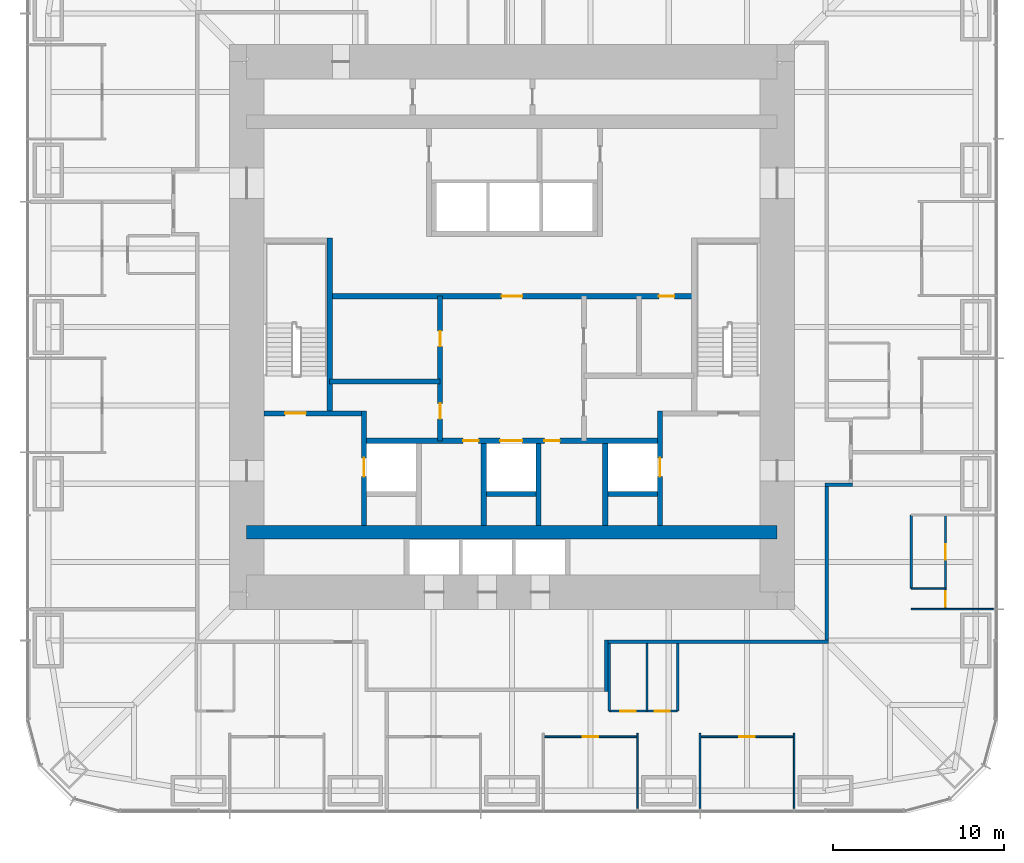
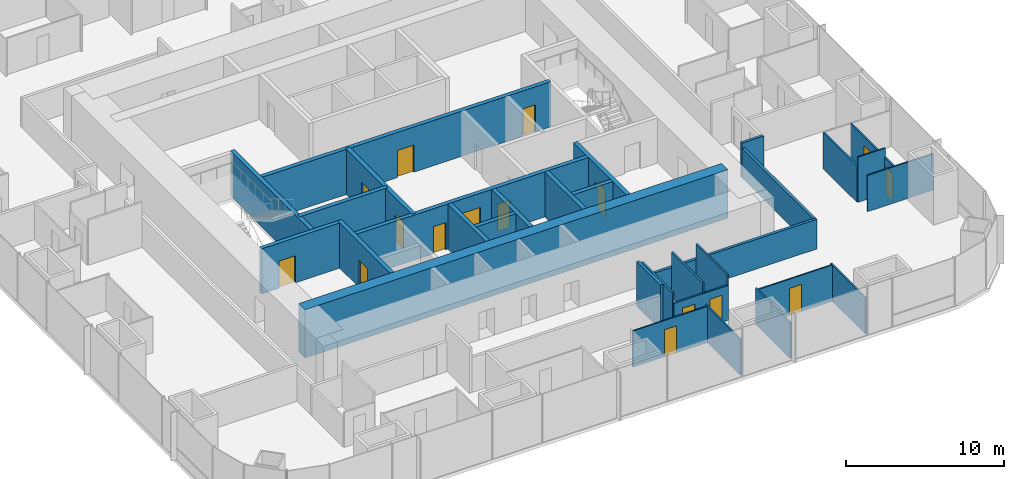
# One storey, part 8 of 11: 31 walls, 16 doors, 16 openings.
"""IFC4 building model written with IfcOpenShell, lengths in metres."""

from ifc_helpers import new_model, si_unit, direction, frame, frame_2d, origin, place, context, subcontext, project, spatial, rectangle, extrude, material, layer, layer_set, type_object, element, fill, save


model = new_model("IFC4")

# Units and contexts
model_context = context("Model", 3, precision=1e-05, world=origin(), true_north=direction((0.0, 1.0)))
body_context = subcontext(model_context, "Body", "Model", "MODEL_VIEW")
ifc_project = project(units=[si_unit("LENGTHUNIT", "METRE"), si_unit("AREAUNIT", "SQUARE_METRE"), si_unit("VOLUMEUNIT", "CUBIC_METRE"), si_unit("PLANEANGLEUNIT", "RADIAN"), si_unit("MASSUNIT", "GRAM", prefix="KILO")], contexts=[model_context])

# Site, building, storey
site_placement = place(None, origin())
site = spatial("IfcSite", under=ifc_project, at=site_placement, CompositionType="ELEMENT")
building_placement = place(site_placement, origin())
building = spatial("IfcBuilding", under=site, at=building_placement, Name="Khuree Lantern Residences", CompositionType="ELEMENT")
storey_placement = place(building_placement, frame((0.0, 0.0, 171.0)))
storey = spatial("IfcBuildingStorey", under=building, at=storey_placement, Name="L43", CompositionType="ELEMENT", Elevation=171.0)

# Wall
ifc_material_1 = material(Name="Moisture-resistant gypsum board on steel studs", Category="steel")
ifc_layer_1 = layer(ifc_material_1, 0.125)
ifc_layer_set_1 = layer_set([ifc_layer_1], Name="BATHROOM WALL BTW125")
wall_type_1 = type_object("IfcWallType", Name="BATHROOM WALL BTW125", PredefinedType="PARTITIONING", material=ifc_layer_set_1)
wall_1_placement = place(storey_placement, frame((23.329833984375, -15.2880859375, 0.0), z_axis=(0.0, 0.0, 1.0), x_axis=(0.0, 1.0, 0.0)))
element("IfcWall", 1, at=wall_1_placement, inside=storey, type_object=wall_type_1, Name="L43 BATHROOM WALL 05", PredefinedType="PARTITIONING", context=body_context, shape_type="SweptSolid", body=[
    extrude(rectangle(XDim=4.296142578125, YDim=0.125, at=frame_2d((2.14794921875, 0.0))), origin(), (0.0, 0.0, 1.0), 2.81005859375),
])

# Wall, openings, doors
wall_2_placement = place(storey_placement, frame((5.68359375, -22.449951171875, 0.0), z_axis=(0.0, 0.0, 1.0), x_axis=(1.0, 0.0, 0.0)))
wall_2 = element("IfcWall", 2, at=wall_2_placement, inside=storey, type_object=wall_type_1, Name="L43 BATHROOM WALL 05", PredefinedType="PARTITIONING", context=body_context, shape_type="SweptSolid", body=[
    extrude(rectangle(XDim=4.0, YDim=0.125, at=frame_2d((2.0, 0.0))), origin(), (0.0, 0.0, 1.0), 2.699951171875),
])
opening_1_placement = place(wall_2_placement, frame((0.64990234375, 0.0, 0.0)))
opening_1 = element("IfcOpeningElement", 3, at=opening_1_placement, cuts=wall_2, Name="Opening 43-050", PredefinedType="OPENING", context=body_context, shape_type="SweptSolid", body=[
    extrude(rectangle(XDim=0.89990234375, YDim=2.10009765625, at=frame_2d((0.449951171875, 1.050048828125))), frame((0.0, 0.072509765625, 0.0), z_axis=(0.0, -1.0, 0.0), x_axis=(1.0, 0.0, 0.0)), (0.0, 0.0, 1.0), 0.14501953125),
])
opening_2_placement = place(wall_2_placement, frame((2.64990234375, 0.0, 0.0)))
opening_2 = element("IfcOpeningElement", 4, at=opening_2_placement, cuts=wall_2, Name="Opening 43-051", PredefinedType="OPENING", context=body_context, shape_type="SweptSolid", body=[
    extrude(rectangle(XDim=0.89990234375, YDim=2.10009765625, at=frame_2d((0.449951171875, 1.050048828125))), frame((0.0, 0.072509765625, 0.0), z_axis=(0.0, -1.0, 0.0), x_axis=(1.0, 0.0, 0.0)), (0.0, 0.0, 1.0), 0.14501953125),
])
ifc_material_2 = material(Name="Timber door leaf in hardwood frame", Category="wood")
door_type_1 = type_object("IfcDoorType", Name="BATHROOM DOOR 900X2100", OperationType="SINGLE_SWING_LEFT", PredefinedType="DOOR", material=ifc_material_2)
door_1_placement = place(opening_1_placement, origin())
door_1 = element("IfcDoor", 5, at=door_1_placement, inside=storey, type_object=door_type_1, Name="Bathroom door 43-050", OperationType="SINGLE_SWING_LEFT", OverallHeight=2.10009765625, OverallWidth=0.89990234375, PredefinedType="DOOR", context=body_context, shape_type="SweptSolid", body=[
    extrude(rectangle(XDim=0.89990234375, YDim=2.10009765625, at=frame_2d((0.449951171875, 1.050048828125))), frame((0.0, 0.02490234375, 0.0), z_axis=(0.0, -1.0, 0.0), x_axis=(1.0, 0.0, 0.0)), (0.0, 0.0, 1.0), 0.050048828125),
])
fill(opening_1, door_1)
door_type_2 = type_object("IfcDoorType", Name="DOOR 900X2100", OperationType="SINGLE_SWING_LEFT", PredefinedType="DOOR", material=ifc_material_2)
door_2_placement = place(opening_2_placement, origin())
door_2 = element("IfcDoor", 6, at=door_2_placement, inside=storey, type_object=door_type_2, Name="Store door 43-051", OperationType="SINGLE_SWING_LEFT", OverallHeight=2.10009765625, OverallWidth=0.89990234375, PredefinedType="DOOR", context=body_context, shape_type="SweptSolid", body=[
    extrude(rectangle(XDim=0.89990234375, YDim=2.10009765625, at=frame_2d((0.449951171875, 1.050048828125))), frame((0.0, 0.02490234375, 0.0), z_axis=(0.0, -1.0, 0.0), x_axis=(1.0, 0.0, 0.0)), (0.0, 0.0, 1.0), 0.050048828125),
])
fill(opening_2, door_2)

# Walls
for number, where, z_axis, x_axis, name in (
    (7, (5.68359375, -18.5, 0.0), (0.0, 0.0, 1.0), (0.0, -1.0, 0.0), "L43 BATHROOM WALL 05"),
    (8, (7.883544921875, -18.5, 0.0), (0.0, 0.0, 1.0), (0.0, -1.0, 0.0), "L43 BATHROOM WALL 05"),
    (9, (9.68359375, -18.5, 0.0), (0.0, 0.0, 1.0), (0.0, -1.0, 0.0), "L43 BATHROOM WALL 05"),
):
    element("IfcWall", number, at=place(storey_placement, frame(where, z_axis=z_axis, x_axis=x_axis)), inside=storey, type_object=wall_type_1, Name=name, PredefinedType="PARTITIONING", context=body_context, shape_type="SweptSolid", body=[
        extrude(rectangle(XDim=3.949951171875, YDim=0.125, at=frame_2d((1.97509765625, 0.0))), origin(), (0.0, 0.0, 1.0), 3.5),
    ])

# Wall, opening, door
ifc_material_3 = material(Name="Dense concrete blockwork", Category="masonry")
ifc_layer_2 = layer(ifc_material_3, 0.300048828125)
ifc_layer_set_2 = layer_set([ifc_layer_2], Name="CORE PARTITION WALL CPW300 EI 120")
wall_type_2 = type_object("IfcWallType", Name="CORE PARTITION WALL CPW300 EI 120", PredefinedType="PARTITIONING", material=ifc_layer_set_2)
wall_3_placement = place(storey_placement, frame((-8.64990234375, -11.60009765625, 0.0), z_axis=(0.0, 0.0, 1.0), x_axis=(0.0, 1.0, 0.0)))
wall_3 = element("IfcWall", 10, at=wall_3_placement, inside=storey, type_object=wall_type_2, Name="L43 CORE WALL FL1W", PredefinedType="PARTITIONING", context=body_context, shape_type="SweptSolid", body=[
    extrude(rectangle(XDim=6.7001953125, YDim=0.300048828125, at=frame_2d((3.35009765625, 0.0))), origin(), (0.0, 0.0, 1.0), 3.5),
])
opening_3_placement = place(wall_3_placement, frame((2.85009765625, 0.0, 0.0)))
opening_3 = element("IfcOpeningElement", 11, at=opening_3_placement, cuts=wall_3, Name="Opening 43-007", PredefinedType="OPENING", context=body_context, shape_type="SweptSolid", body=[
    extrude(rectangle(XDim=1.10009765625, YDim=2.10009765625, at=frame_2d((0.550048828125, 1.050048828125))), frame((0.0, 0.16015625, 0.0), z_axis=(0.0, -1.0, 0.0), x_axis=(1.0, 0.0, 0.0)), (0.0, 0.0, 1.0), 0.320068359375),
])
ifc_material_4 = material(Name="Stainless steel lift landing door", Category="steel")
door_type_3 = type_object("IfcDoorType", Name="LIFT LANDING DOOR 1100X2100 E 120", OperationType="DOUBLE_DOOR_SLIDING", PredefinedType="DOOR", material=ifc_material_4)
door_3_placement = place(opening_3_placement, origin())
door_3 = element("IfcDoor", 12, at=door_3_placement, inside=storey, type_object=door_type_3, Name="Landing door FL1 43-007", OperationType="DOUBLE_DOOR_SLIDING", OverallHeight=2.10009765625, OverallWidth=1.10009765625, PredefinedType="DOOR", context=body_context, shape_type="SweptSolid", body=[
    extrude(rectangle(XDim=1.10009765625, YDim=2.10009765625, at=frame_2d((0.550048828125, 1.050048828125))), frame((0.0, 0.02490234375, 0.0), z_axis=(0.0, -1.0, 0.0), x_axis=(1.0, 0.0, 0.0)), (0.0, 0.0, 1.0), 0.050048828125),
])
fill(opening_3, door_3)

wall_4_placement = place(storey_placement, frame((8.64990234375, -11.60009765625, 0.0), z_axis=(0.0, 0.0, 1.0), x_axis=(0.0, 1.0, 0.0)))
wall_4 = element("IfcWall", 13, at=wall_4_placement, inside=storey, type_object=wall_type_2, Name="L43 CORE WALL FL2E", PredefinedType="PARTITIONING", context=body_context, shape_type="SweptSolid", body=[
    extrude(rectangle(XDim=6.7001953125, YDim=0.300048828125, at=frame_2d((3.35009765625, 0.0))), origin(), (0.0, 0.0, 1.0), 3.5),
])
opening_4_placement = place(wall_4_placement, frame((2.85009765625, 0.0, 0.0)))
opening_4 = element("IfcOpeningElement", 14, at=opening_4_placement, cuts=wall_4, Name="Opening 43-008", PredefinedType="OPENING", context=body_context, shape_type="SweptSolid", body=[
    extrude(rectangle(XDim=1.10009765625, YDim=2.10009765625, at=frame_2d((0.550048828125, 1.050048828125))), frame((0.0, 0.16015625, 0.0), z_axis=(0.0, -1.0, 0.0), x_axis=(1.0, 0.0, 0.0)), (0.0, 0.0, 1.0), 0.320068359375),
])
door_4_placement = place(opening_4_placement, origin())
door_4 = element("IfcDoor", 15, at=door_4_placement, inside=storey, type_object=door_type_3, Name="Landing door FL2 43-008", OperationType="DOUBLE_DOOR_SLIDING", OverallHeight=2.10009765625, OverallWidth=1.10009765625, PredefinedType="DOOR", context=body_context, shape_type="SweptSolid", body=[
    extrude(rectangle(XDim=1.10009765625, YDim=2.10009765625, at=frame_2d((0.550048828125, 1.050048828125))), frame((0.0, 0.02490234375, 0.0), z_axis=(0.0, -1.0, 0.0), x_axis=(1.0, 0.0, 0.0)), (0.0, 0.0, 1.0), 0.050048828125),
])
fill(opening_4, door_4)

# Wall, openings, doors
wall_5_placement = place(storey_placement, frame((-8.5, -6.64990234375, 0.0), z_axis=(0.0, 0.0, 1.0), x_axis=(1.0, 0.0, 0.0)))
wall_5 = element("IfcWall", 16, at=wall_5_placement, inside=storey, type_object=wall_type_2, Name="L43 CORE WALL FLROW", PredefinedType="PARTITIONING", context=body_context, shape_type="SweptSolid", body=[
    extrude(rectangle(XDim=17.0, YDim=0.300048828125, at=frame_2d((8.5, 0.0))), origin(), (0.0, 0.0, 1.0), 3.5),
])
opening_5_placement = place(wall_5_placement, frame((7.800048828125, 0.0, 0.0)))
opening_5 = element("IfcOpeningElement", 17, at=opening_5_placement, cuts=wall_5, Name="Opening 43-012", PredefinedType="OPENING", context=body_context, shape_type="SweptSolid", body=[
    extrude(rectangle(XDim=1.300048828125, YDim=2.39990234375, at=frame_2d((0.64990234375, 1.199951171875))), frame((0.0, 0.16015625, 0.0), z_axis=(0.0, -1.0, 0.0), x_axis=(1.0, 0.0, 0.0)), (0.0, 0.0, 1.0), 0.320068359375),
])
opening_6_placement = place(wall_5_placement, frame((5.64990234375, 0.0, 0.0)))
opening_6 = element("IfcOpeningElement", 18, at=opening_6_placement, cuts=wall_5, Name="Opening 43-014", PredefinedType="OPENING", context=body_context, shape_type="SweptSolid", body=[
    extrude(rectangle(XDim=0.89990234375, YDim=2.10009765625, at=frame_2d((0.449951171875, 1.050048828125))), frame((0.0, 0.16015625, 0.0), z_axis=(0.0, -1.0, 0.0), x_axis=(1.0, 0.0, 0.0)), (0.0, 0.0, 1.0), 0.320068359375),
])
opening_7_placement = place(wall_5_placement, frame((10.39990234375, 0.0, 0.0)))
opening_7 = element("IfcOpeningElement", 19, at=opening_7_placement, cuts=wall_5, Name="Opening 43-015", PredefinedType="OPENING", context=body_context, shape_type="SweptSolid", body=[
    extrude(rectangle(XDim=0.89990234375, YDim=2.10009765625, at=frame_2d((0.449951171875, 1.050048828125))), frame((0.0, 0.16015625, 0.0), z_axis=(0.0, -1.0, 0.0), x_axis=(1.0, 0.0, 0.0)), (0.0, 0.0, 1.0), 0.320068359375),
])
ifc_material_5 = material(Name="Steel door leaf in steel frame", Category="steel")
door_type_4 = type_object("IfcDoorType", Name="DOOR 900X2100 EI 60", OperationType="SINGLE_SWING_LEFT", PredefinedType="DOOR", material=ifc_material_5)
door_5_placement = place(opening_6_placement, origin())
door_5 = element("IfcDoor", 20, at=door_5_placement, inside=storey, type_object=door_type_4, Name="Refuse chute room door 43-014", OperationType="SINGLE_SWING_LEFT", OverallHeight=2.10009765625, OverallWidth=0.89990234375, PredefinedType="DOOR", context=body_context, shape_type="SweptSolid", body=[
    extrude(rectangle(XDim=0.89990234375, YDim=2.10009765625, at=frame_2d((0.449951171875, 1.050048828125))), frame((0.0, 0.02490234375, 0.0), z_axis=(0.0, -1.0, 0.0), x_axis=(1.0, 0.0, 0.0)), (0.0, 0.0, 1.0), 0.050048828125),
])
fill(opening_6, door_5)
door_type_5 = type_object("IfcDoorType", Name="DOOR 900X2100 EI 60 RIGHT HAND", OperationType="SINGLE_SWING_RIGHT", PredefinedType="DOOR", material=ifc_material_5)
door_6_placement = place(opening_7_placement, origin())
door_6 = element("IfcDoor", 21, at=door_6_placement, inside=storey, type_object=door_type_5, Name="Electrical and plumbing riser door 43-015", OperationType="SINGLE_SWING_RIGHT", OverallHeight=2.10009765625, OverallWidth=0.89990234375, PredefinedType="DOOR", context=body_context, shape_type="SweptSolid", body=[
    extrude(rectangle(XDim=0.89990234375, YDim=2.10009765625, at=frame_2d((0.449951171875, 1.050048828125))), frame((0.0, 0.02490234375, 0.0), z_axis=(0.0, -1.0, 0.0), x_axis=(1.0, 0.0, 0.0)), (0.0, 0.0, 1.0), 0.050048828125),
])
fill(opening_7, door_6)
door_type_6 = type_object("IfcDoorType", Name="LIFT LANDING DOOR 1300X2400 E 60", OperationType="DOUBLE_DOOR_SLIDING", PredefinedType="DOOR", material=ifc_material_4)
door_7_placement = place(opening_5_placement, origin())
door_7 = element("IfcDoor", 22, at=door_7_placement, inside=storey, type_object=door_type_6, Name="Landing door SL1 43-012", OperationType="DOUBLE_DOOR_SLIDING", OverallHeight=2.39990234375, OverallWidth=1.300048828125, PredefinedType="DOOR", context=body_context, shape_type="SweptSolid", body=[
    extrude(rectangle(XDim=1.300048828125, YDim=2.39990234375, at=frame_2d((0.64990234375, 1.199951171875))), frame((0.0, 0.02490234375, 0.0), z_axis=(0.0, -1.0, 0.0), x_axis=(1.0, 0.0, 0.0)), (0.0, 0.0, 1.0), 0.050048828125),
])
fill(opening_5, door_7)

# Walls
for number, where, z_axis, x_axis, name in (
    (23, (-1.64990234375, -11.60009765625, 0.0), (0.0, 0.0, 1.0), (0.0, 1.0, 0.0), "L43 CORE WALL SL1W"),
    (24, (1.550048828125, -11.60009765625, 0.0), (0.0, 0.0, 1.0), (0.0, 1.0, 0.0), "L43 CORE WALL SL1E"),
    (25, (5.449951171875, -11.60009765625, 0.0), (0.0, 0.0, 1.0), (0.0, 1.0, 0.0), "L43 CORE WALL FL2W"),
):
    element("IfcWall", number, at=place(storey_placement, frame(where, z_axis=z_axis, x_axis=x_axis)), inside=storey, type_object=wall_type_2, Name=name, PredefinedType="PARTITIONING", context=body_context, shape_type="SweptSolid", body=[
        extrude(rectangle(XDim=4.800048828125, YDim=0.300048828125, at=frame_2d((2.39990234375, 0.0))), origin(), (0.0, 0.0, 1.0), 3.5),
    ])
for number, where, z_axis, x_axis, name in (
    (26, (-1.5, -9.75, 0.0), (0.0, 0.0, 1.0), (1.0, 0.0, 0.0), "L43 CORE WALL SL1S"),
    (27, (5.60009765625, -9.75, 0.0), (0.0, 0.0, 1.0), (1.0, 0.0, 0.0), "L43 CORE WALL FL2S"),
):
    element("IfcWall", number, at=place(storey_placement, frame(where, z_axis=z_axis, x_axis=x_axis)), inside=storey, type_object=wall_type_2, Name=name, PredefinedType="PARTITIONING", context=body_context, shape_type="SweptSolid", body=[
        extrude(rectangle(XDim=2.89990234375, YDim=0.300048828125, at=frame_2d((1.449951171875, 0.0))), origin(), (0.0, 0.0, 1.0), 3.5),
    ])

# Wall, openings, doors
wall_6_placement = place(storey_placement, frame((-10.64990234375, 1.800048828125, 0.0), z_axis=(0.0, 0.0, 1.0), x_axis=(1.0, 0.0, 0.0)))
wall_6 = element("IfcWall", 28, at=wall_6_placement, inside=storey, type_object=wall_type_2, Name="L43 CORE WALL LLS", PredefinedType="PARTITIONING", context=body_context, shape_type="SweptSolid", body=[
    extrude(rectangle(XDim=21.2998046875, YDim=0.300048828125, at=frame_2d((10.64990234375, 0.0))), origin(), (0.0, 0.0, 1.0), 3.5),
])
opening_8_placement = place(wall_6_placement, frame((10.050048828125, 0.0, 0.0)))
opening_8 = element("IfcOpeningElement", 29, at=opening_8_placement, cuts=wall_6, Name="Opening 43-013", PredefinedType="OPENING", context=body_context, shape_type="SweptSolid", body=[
    extrude(rectangle(XDim=1.199951171875, YDim=2.10009765625, at=frame_2d((0.60009765625, 1.050048828125))), frame((0.0, 0.16015625, 0.0), z_axis=(0.0, -1.0, 0.0), x_axis=(1.0, 0.0, 0.0)), (0.0, 0.0, 1.0), 0.320068359375),
])
opening_9_placement = place(wall_6_placement, frame((19.238037109375, 0.0, 0.0)))
opening_9 = element("IfcOpeningElement", 30, at=opening_9_placement, cuts=wall_6, Name="Opening 43-020", PredefinedType="OPENING", context=body_context, shape_type="SweptSolid", body=[
    extrude(rectangle(XDim=0.89990234375, YDim=2.10009765625, at=frame_2d((0.449951171875, 1.050048828125))), frame((0.0, 0.16015625, 0.0), z_axis=(0.0, -1.0, 0.0), x_axis=(1.0, 0.0, 0.0)), (0.0, 0.0, 1.0), 0.320068359375),
])
door_type_7 = type_object("IfcDoorType", Name="DOOR 1200X2100 EI 60", OperationType="SINGLE_SWING_LEFT", PredefinedType="DOOR", material=ifc_material_5)
door_8_placement = place(opening_8_placement, origin())
door_8 = element("IfcDoor", 31, at=door_8_placement, inside=storey, type_object=door_type_7, Name="Service lift lobby door 43-013", OperationType="SINGLE_SWING_LEFT", OverallHeight=2.10009765625, OverallWidth=1.199951171875, PredefinedType="DOOR", context=body_context, shape_type="SweptSolid", body=[
    extrude(rectangle(XDim=1.199951171875, YDim=2.10009765625, at=frame_2d((0.60009765625, 1.050048828125))), frame((0.0, 0.02490234375, 0.0), z_axis=(0.0, -1.0, 0.0), x_axis=(1.0, 0.0, 0.0)), (0.0, 0.0, 1.0), 0.050048828125),
])
fill(opening_8, door_8)
door_type_8 = type_object("IfcDoorType", Name="DOOR 900X2100 RIGHT HAND", OperationType="SINGLE_SWING_RIGHT", PredefinedType="DOOR", material=ifc_material_2)
door_9_placement = place(opening_9_placement, origin())
door_9 = element("IfcDoor", 32, at=door_9_placement, inside=storey, type_object=door_type_8, Name="Refuse holding room door 43-020", OperationType="SINGLE_SWING_RIGHT", OverallHeight=2.10009765625, OverallWidth=0.89990234375, PredefinedType="DOOR", context=body_context, shape_type="SweptSolid", body=[
    extrude(rectangle(XDim=0.89990234375, YDim=2.10009765625, at=frame_2d((0.449951171875, 1.050048828125))), frame((0.0, 0.02490234375, 0.0), z_axis=(0.0, -1.0, 0.0), x_axis=(1.0, 0.0, 0.0)), (0.0, 0.0, 1.0), 0.050048828125),
])
fill(opening_9, door_9)

wall_7_placement = place(storey_placement, frame((-4.199951171875, -6.64990234375, 0.0), z_axis=(0.0, 0.0, 1.0), x_axis=(0.0, 1.0, 0.0)))
wall_7 = element("IfcWall", 33, at=wall_7_placement, inside=storey, type_object=wall_type_2, Name="L43 CORE WALL SVW", PredefinedType="PARTITIONING", context=body_context, shape_type="SweptSolid", body=[
    extrude(rectangle(XDim=8.449951171875, YDim=0.300048828125, at=frame_2d((4.22509765625, 0.0))), origin(), (0.0, 0.0, 1.0), 3.5),
])
opening_10_placement = place(wall_7_placement, frame((1.284912109375, 0.0, 0.0)))
opening_10 = element("IfcOpeningElement", 34, at=opening_10_placement, cuts=wall_7, Name="Opening 43-016", PredefinedType="OPENING", context=body_context, shape_type="SweptSolid", body=[
    extrude(rectangle(XDim=0.89990234375, YDim=2.10009765625, at=frame_2d((0.449951171875, 1.050048828125))), frame((0.0, 0.16015625, 0.0), z_axis=(0.0, -1.0, 0.0), x_axis=(1.0, 0.0, 0.0)), (0.0, 0.0, 1.0), 0.320068359375),
])
opening_11_placement = place(wall_7_placement, frame((5.510009765625, 0.0, 0.0)))
opening_11 = element("IfcOpeningElement", 35, at=opening_11_placement, cuts=wall_7, Name="Opening 43-017", PredefinedType="OPENING", context=body_context, shape_type="SweptSolid", body=[
    extrude(rectangle(XDim=0.89990234375, YDim=2.10009765625, at=frame_2d((0.449951171875, 1.050048828125))), frame((0.0, 0.16015625, 0.0), z_axis=(0.0, -1.0, 0.0), x_axis=(1.0, 0.0, 0.0)), (0.0, 0.0, 1.0), 0.320068359375),
])
door_10_placement = place(opening_10_placement, origin())
door_10 = element("IfcDoor", 36, at=door_10_placement, inside=storey, type_object=door_type_2, Name="Bulky waste store door 43-016", OperationType="SINGLE_SWING_LEFT", OverallHeight=2.10009765625, OverallWidth=0.89990234375, PredefinedType="DOOR", context=body_context, shape_type="SweptSolid", body=[
    extrude(rectangle(XDim=0.89990234375, YDim=2.10009765625, at=frame_2d((0.449951171875, 1.050048828125))), frame((0.0, 0.02490234375, 0.0), z_axis=(0.0, -1.0, 0.0), x_axis=(1.0, 0.0, 0.0)), (0.0, 0.0, 1.0), 0.050048828125),
])
fill(opening_10, door_10)
door_11_placement = place(opening_11_placement, origin())
door_11 = element("IfcDoor", 37, at=door_11_placement, inside=storey, type_object=door_type_2, Name="Residents' store door 43-017", OperationType="SINGLE_SWING_LEFT", OverallHeight=2.10009765625, OverallWidth=0.89990234375, PredefinedType="DOOR", context=body_context, shape_type="SweptSolid", body=[
    extrude(rectangle(XDim=0.89990234375, YDim=2.10009765625, at=frame_2d((0.449951171875, 1.050048828125))), frame((0.0, 0.02490234375, 0.0), z_axis=(0.0, -1.0, 0.0), x_axis=(1.0, 0.0, 0.0)), (0.0, 0.0, 1.0), 0.050048828125),
])
fill(opening_11, door_11)

# Walls
wall_8_placement = place(storey_placement, frame((-10.64990234375, -3.179931640625, 0.0), z_axis=(0.0, 0.0, 1.0), x_axis=(1.0, 0.0, 0.0)))
element("IfcWall", 38, at=wall_8_placement, inside=storey, type_object=wall_type_2, Name="L43 CORE WALL WX", PredefinedType="PARTITIONING", context=body_context, shape_type="SweptSolid", body=[
    extrude(rectangle(XDim=6.449951171875, YDim=0.300048828125, at=frame_2d((3.22509765625, 0.0))), origin(), (0.0, 0.0, 1.0), 3.5),
])
ifc_material_6 = material(Name="Gypsum board on steel studs", Category="steel")
ifc_layer_3 = layer(ifc_material_6, 0.199951171875)
ifc_layer_set_3 = layer_set([ifc_layer_3], Name="CORRIDOR WALL CRW200 EI 60")
wall_type_3 = type_object("IfcWallType", Name="CORRIDOR WALL CRW200 EI 60", PredefinedType="PARTITIONING", material=ifc_layer_set_3)
wall_9_placement = place(storey_placement, frame((18.39990234375, -18.300048828125, 0.0), z_axis=(0.0, 0.0, 1.0), x_axis=(0.0, 1.0, 0.0)))
element("IfcWall", 39, at=wall_9_placement, inside=storey, type_object=wall_type_3, Name="L43 CORRIDOR WALL EAST 1", PredefinedType="PARTITIONING", context=body_context, shape_type="SweptSolid", body=[
    extrude(rectangle(XDim=8.97216796875, YDim=0.199951171875, at=frame_2d((4.486083984375, 0.0))), origin(), (0.0, 0.0, 1.0), 2.300048828125),
])
wall_10_placement = place(storey_placement, frame((18.300048828125, -9.22802734375, 0.0), z_axis=(0.0, 0.0, 1.0), x_axis=(1.0, 0.0, 0.0)))
element("IfcWall", 40, at=wall_10_placement, inside=storey, type_object=wall_type_3, Name="L43 CORRIDOR ALCOVE WALL EAST", PredefinedType="PARTITIONING", context=body_context, shape_type="SweptSolid", body=[
    extrude(rectangle(XDim=1.599853515625, YDim=0.199951171875, at=frame_2d((0.7998046875, 0.0))), origin(), (0.0, 0.0, 1.0), 2.699951171875),
])
wall_11_placement = place(storey_placement, frame((18.5, -18.39990234375, 0.0), z_axis=(0.0, 0.0, 1.0), x_axis=(-1.0, 0.0, 0.0)))
element("IfcWall", 41, at=wall_11_placement, inside=storey, type_object=wall_type_3, Name="L43 CORRIDOR WALL SOUTH 1", PredefinedType="PARTITIONING", context=body_context, shape_type="SweptSolid", body=[
    extrude(rectangle(XDim=12.89990234375, YDim=0.199951171875, at=frame_2d((6.449951171875, 0.0))), origin(), (0.0, 0.0, 1.0), 2.300048828125),
])
wall_12_placement = place(storey_placement, frame((5.5, -18.300048828125, 0.0), z_axis=(0.0, 0.0, 1.0), x_axis=(0.0, -1.0, 0.0)))
element("IfcWall", 42, at=wall_12_placement, inside=storey, type_object=wall_type_3, Name="L43 LIFT LOBBY WALL", PredefinedType="PARTITIONING", context=body_context, shape_type="SweptSolid", body=[
    extrude(rectangle(XDim=3.0, YDim=0.199951171875, at=frame_2d((1.5, 0.0))), origin(), (0.0, 0.0, 1.0), 3.5),
])
ifc_layer_4 = layer(ifc_material_6, 0.10009765625)
ifc_layer_set_4 = layer_set([ifc_layer_4], Name="PARTITION PT100")
wall_type_4 = type_object("IfcWallType", Name="PARTITION PT100", PredefinedType="PARTITIONING", material=ifc_layer_set_4)
for number, where, z_axis, x_axis, name in (
    (43, (7.327880859375, -23.75, 0.0), (0.0, 0.0, 1.0), (0.0, -1.0, 0.0), "L43 PARTITION 05"),
    (44, (10.991943359375, -23.75, 0.0), (0.0, 0.0, 1.0), (0.0, -1.0, 0.0), "L43 PARTITION 05"),
    (45, (16.488037109375, -23.75, 0.0), (0.0, 0.0, 1.0), (0.0, -1.0, 0.0), "L43 PARTITION 05"),
):
    element("IfcWall", number, at=place(storey_placement, frame(where, z_axis=z_axis, x_axis=x_axis)), inside=storey, type_object=wall_type_4, Name=name, PredefinedType="PARTITIONING", context=body_context, shape_type="SweptSolid", body=[
        extrude(rectangle(XDim=4.39990234375, YDim=0.10009765625, at=frame_2d((2.199951171875, 0.0))), origin(), (0.0, 0.0, 1.0), 2.81005859375),
    ])
wall_13_placement = place(storey_placement, frame((23.329833984375, -16.488037109375, 0.0), z_axis=(0.0, 0.0, 1.0), x_axis=(1.0, 0.0, 0.0)))
element("IfcWall", 46, at=wall_13_placement, inside=storey, type_object=wall_type_4, Name="L43 PARTITION 05", PredefinedType="PARTITIONING", context=body_context, shape_type="SweptSolid", body=[
    extrude(rectangle(XDim=4.820068359375, YDim=0.10009765625, at=frame_2d((2.41015625, 0.0))), origin(), (0.0, 0.0, 1.0), 2.81005859375),
])

# Wall, opening, door
wall_14_placement = place(storey_placement, frame((1.83203125, -23.949951171875, 0.0), z_axis=(0.0, 0.0, 1.0), x_axis=(1.0, 0.0, 0.0)))
wall_14 = element("IfcWall", 47, at=wall_14_placement, inside=storey, type_object=wall_type_4, Name="L43 PARTITION 05", PredefinedType="PARTITIONING", context=body_context, shape_type="SweptSolid", body=[
    extrude(rectangle(XDim=5.495849609375, YDim=0.10009765625, at=frame_2d((2.748046875, 0.0))), origin(), (0.0, 0.0, 1.0), 2.81005859375),
])
opening_12_placement = place(wall_14_placement, frame((2.298095703125, 0.0, 0.0)))
opening_12 = element("IfcOpeningElement", 48, at=opening_12_placement, cuts=wall_14, Name="Opening 43-046", PredefinedType="OPENING", context=body_context, shape_type="SweptSolid", body=[
    extrude(rectangle(XDim=0.89990234375, YDim=2.10009765625, at=frame_2d((0.449951171875, 1.050048828125))), frame((0.0, 0.06005859375, 0.0), z_axis=(0.0, -1.0, 0.0), x_axis=(1.0, 0.0, 0.0)), (0.0, 0.0, 1.0), 0.1201171875),
])
door_type_9 = type_object("IfcDoorType", Name="BEDROOM DOOR 900X2100", OperationType="SINGLE_SWING_LEFT", PredefinedType="DOOR", material=ifc_material_2)
door_12_placement = place(opening_12_placement, origin())
door_12 = element("IfcDoor", 49, at=door_12_placement, inside=storey, type_object=door_type_9, Name="Bedroom door 43-046", OperationType="SINGLE_SWING_LEFT", OverallHeight=2.10009765625, OverallWidth=0.89990234375, PredefinedType="DOOR", context=body_context, shape_type="SweptSolid", body=[
    extrude(rectangle(XDim=0.89990234375, YDim=2.10009765625, at=frame_2d((0.449951171875, 1.050048828125))), frame((0.0, 0.02490234375, 0.0), z_axis=(0.0, -1.0, 0.0), x_axis=(1.0, 0.0, 0.0)), (0.0, 0.0, 1.0), 0.050048828125),
])
fill(opening_12, door_12)

wall_15_placement = place(storey_placement, frame((10.991943359375, -23.949951171875, 0.0), z_axis=(0.0, 0.0, 1.0), x_axis=(1.0, 0.0, 0.0)))
wall_15 = element("IfcWall", 50, at=wall_15_placement, inside=storey, type_object=wall_type_4, Name="L43 PARTITION 05", PredefinedType="PARTITIONING", context=body_context, shape_type="SweptSolid", body=[
    extrude(rectangle(XDim=5.49609375, YDim=0.10009765625, at=frame_2d((2.748046875, 0.0))), origin(), (0.0, 0.0, 1.0), 2.81005859375),
])
opening_13_placement = place(wall_15_placement, frame((2.298095703125, 0.0, 0.0)))
opening_13 = element("IfcOpeningElement", 51, at=opening_13_placement, cuts=wall_15, Name="Opening 43-047", PredefinedType="OPENING", context=body_context, shape_type="SweptSolid", body=[
    extrude(rectangle(XDim=0.89990234375, YDim=2.10009765625, at=frame_2d((0.449951171875, 1.050048828125))), frame((0.0, 0.06005859375, 0.0), z_axis=(0.0, -1.0, 0.0), x_axis=(1.0, 0.0, 0.0)), (0.0, 0.0, 1.0), 0.1201171875),
])
door_13_placement = place(opening_13_placement, origin())
door_13 = element("IfcDoor", 52, at=door_13_placement, inside=storey, type_object=door_type_9, Name="Bedroom door 43-047", OperationType="SINGLE_SWING_LEFT", OverallHeight=2.10009765625, OverallWidth=0.89990234375, PredefinedType="DOOR", context=body_context, shape_type="SweptSolid", body=[
    extrude(rectangle(XDim=0.89990234375, YDim=2.10009765625, at=frame_2d((0.449951171875, 1.050048828125))), frame((0.0, 0.02490234375, 0.0), z_axis=(0.0, -1.0, 0.0), x_axis=(1.0, 0.0, 0.0)), (0.0, 0.0, 1.0), 0.050048828125),
])
fill(opening_13, door_13)

# Wall, openings, doors
wall_16_placement = place(storey_placement, frame((25.329833984375, -16.488037109375, 0.0), z_axis=(0.0, 0.0, 1.0), x_axis=(0.0, 1.0, 0.0)))
wall_16 = element("IfcWall", 53, at=wall_16_placement, inside=storey, type_object=wall_type_4, Name="L43 PARTITION 05", PredefinedType="PARTITIONING", context=body_context, shape_type="SweptSolid", body=[
    extrude(rectangle(XDim=5.49609375, YDim=0.10009765625, at=frame_2d((2.748046875, 0.0))), origin(), (0.0, 0.0, 1.0), 2.81005859375),
])
opening_14_placement = place(wall_16_placement, frame((0.14990234375, 0.0, 0.0)))
opening_14 = element("IfcOpeningElement", 54, at=opening_14_placement, cuts=wall_16, Name="Opening 43-048", PredefinedType="OPENING", context=body_context, shape_type="SweptSolid", body=[
    extrude(rectangle(XDim=0.89990234375, YDim=2.10009765625, at=frame_2d((0.449951171875, 1.050048828125))), frame((0.0, 0.06005859375, 0.0), z_axis=(0.0, -1.0, 0.0), x_axis=(1.0, 0.0, 0.0)), (0.0, 0.0, 1.0), 0.1201171875),
])
opening_15_placement = place(wall_16_placement, frame((2.89794921875, 0.0, 0.0)))
opening_15 = element("IfcOpeningElement", 55, at=opening_15_placement, cuts=wall_16, Name="Opening 43-049", PredefinedType="OPENING", context=body_context, shape_type="SweptSolid", body=[
    extrude(rectangle(XDim=0.89990234375, YDim=2.10009765625, at=frame_2d((0.449951171875, 1.050048828125))), frame((0.0, 0.06005859375, 0.0), z_axis=(0.0, -1.0, 0.0), x_axis=(1.0, 0.0, 0.0)), (0.0, 0.0, 1.0), 0.1201171875),
])
door_14_placement = place(opening_15_placement, origin())
door_14 = element("IfcDoor", 56, at=door_14_placement, inside=storey, type_object=door_type_1, Name="Bathroom door 43-049", OperationType="SINGLE_SWING_LEFT", OverallHeight=2.10009765625, OverallWidth=0.89990234375, PredefinedType="DOOR", context=body_context, shape_type="SweptSolid", body=[
    extrude(rectangle(XDim=0.89990234375, YDim=2.10009765625, at=frame_2d((0.449951171875, 1.050048828125))), frame((0.0, 0.02490234375, 0.0), z_axis=(0.0, -1.0, 0.0), x_axis=(1.0, 0.0, 0.0)), (0.0, 0.0, 1.0), 0.050048828125),
])
fill(opening_15, door_14)
door_15_placement = place(opening_14_placement, origin())
door_15 = element("IfcDoor", 57, at=door_15_placement, inside=storey, type_object=door_type_9, Name="Bedroom door 43-048", OperationType="SINGLE_SWING_LEFT", OverallHeight=2.10009765625, OverallWidth=0.89990234375, PredefinedType="DOOR", context=body_context, shape_type="SweptSolid", body=[
    extrude(rectangle(XDim=0.89990234375, YDim=2.10009765625, at=frame_2d((0.449951171875, 1.050048828125))), frame((0.0, 0.02490234375, 0.0), z_axis=(0.0, -1.0, 0.0), x_axis=(1.0, 0.0, 0.0)), (0.0, 0.0, 1.0), 0.050048828125),
])
fill(opening_14, door_15)

# Walls
wall_17_placement = place(storey_placement, frame((23.329833984375, -15.2880859375, 0.0), z_axis=(0.0, 0.0, 1.0), x_axis=(1.0, 0.0, 0.0)))
element("IfcWall", 58, at=wall_17_placement, inside=storey, type_object=wall_type_4, Name="L43 PARTITION 05", PredefinedType="PARTITIONING", context=body_context, shape_type="SweptSolid", body=[
    extrude(rectangle(XDim=2.0, YDim=0.10009765625, at=frame_2d((1.0, 0.0))), origin(), (0.0, 0.0, 1.0), 3.5),
])
ifc_material_7 = material(Name="Concrete C70/85", Category="concrete")
ifc_layer_5 = layer(ifc_material_7, 0.800048828125)
ifc_layer_set_5 = layer_set([ifc_layer_5], Name="SP800-C70 CORE SPINE WALL C70 800")
wall_type_5 = type_object("IfcWallType", Name="SP800-C70 CORE SPINE WALL C70 800", PredefinedType="SHEAR", material=ifc_layer_set_5)
wall_18_placement = place(storey_placement, frame((-15.5, -12.0, -0.25), z_axis=(0.0, 0.0, 1.0), x_axis=(1.0, 0.0, 0.0)))
element("IfcWall", 59, at=wall_18_placement, inside=storey, type_object=wall_type_5, Name="Core wall SPS", PredefinedType="SHEAR", context=body_context, shape_type="SweptSolid", body=[
    extrude(rectangle(XDim=31.0, YDim=0.800048828125, at=frame_2d((15.5, 0.0))), origin(), (0.0, 0.0, 1.0), 3.75),
])
ifc_material_8 = material(Name="Concrete C50/60", Category="concrete")
ifc_layer_6 = layer(ifc_material_8, 0.300048828125)
ifc_layer_set_6 = layer_set([ifc_layer_6], Name="STAIR WALL SRW300 C50/60 REI 240")
wall_type_6 = type_object("IfcWallType", Name="STAIR WALL SRW300 C50/60 REI 240", PredefinedType="SOLIDWALL", material=ifc_layer_set_6)
wall_19_placement = place(storey_placement, frame((-10.64990234375, -4.89990234375, 0.0), z_axis=(0.0, 0.0, 1.0), x_axis=(0.0, 1.0, 0.0)))
element("IfcWall", 60, at=wall_19_placement, inside=storey, type_object=wall_type_6, Name="L43 STAIR WALL ST1E", PredefinedType="SOLIDWALL", context=body_context, shape_type="SweptSolid", body=[
    extrude(rectangle(XDim=10.099853515625, YDim=0.300048828125, at=frame_2d((5.0498046875, 0.0))), origin(), (0.0, 0.0, 1.0), 3.5),
])

# Wall, opening, door
wall_20_placement = place(storey_placement, frame((-14.5, -5.050048828125, 0.0), z_axis=(0.0, 0.0, 1.0), x_axis=(1.0, 0.0, 0.0)))
wall_20 = element("IfcWall", 61, at=wall_20_placement, inside=storey, type_object=wall_type_6, Name="L43 STAIR WALL ST1S", PredefinedType="SOLIDWALL", context=body_context, shape_type="SweptSolid", body=[
    extrude(rectangle(XDim=5.699951171875, YDim=0.300048828125, at=frame_2d((2.85009765625, 0.0))), origin(), (0.0, 0.0, 1.0), 3.5),
])
opening_16_placement = place(wall_20_placement, frame((1.25, 0.0, 0.0)))
opening_16 = element("IfcOpeningElement", 62, at=opening_16_placement, cuts=wall_20, Name="Opening 43-001", PredefinedType="OPENING", context=body_context, shape_type="SweptSolid", body=[
    extrude(rectangle(XDim=1.199951171875, YDim=2.10009765625, at=frame_2d((0.60009765625, 1.050048828125))), frame((0.0, 0.16015625, 0.0), z_axis=(0.0, -1.0, 0.0), x_axis=(1.0, 0.0, 0.0)), (0.0, 0.0, 1.0), 0.320068359375),
])
door_type_10 = type_object("IfcDoorType", Name="STAIR DOOR 1200X2100 EI 120", OperationType="SINGLE_SWING_LEFT", PredefinedType="DOOR", material=ifc_material_5)
door_16_placement = place(opening_16_placement, origin())
door_16 = element("IfcDoor", 63, at=door_16_placement, inside=storey, type_object=door_type_10, Name="Stair ST1 door 43-001", OperationType="SINGLE_SWING_LEFT", OverallHeight=2.10009765625, OverallWidth=1.199951171875, PredefinedType="DOOR", context=body_context, shape_type="SweptSolid", body=[
    extrude(rectangle(XDim=1.199951171875, YDim=2.10009765625, at=frame_2d((0.60009765625, 1.050048828125))), frame((0.0, 0.02490234375, 0.0), z_axis=(0.0, -1.0, 0.0), x_axis=(1.0, 0.0, 0.0)), (0.0, 0.0, 1.0), 0.050048828125),
])
fill(opening_16, door_16)

save(model, "model.ifc")
